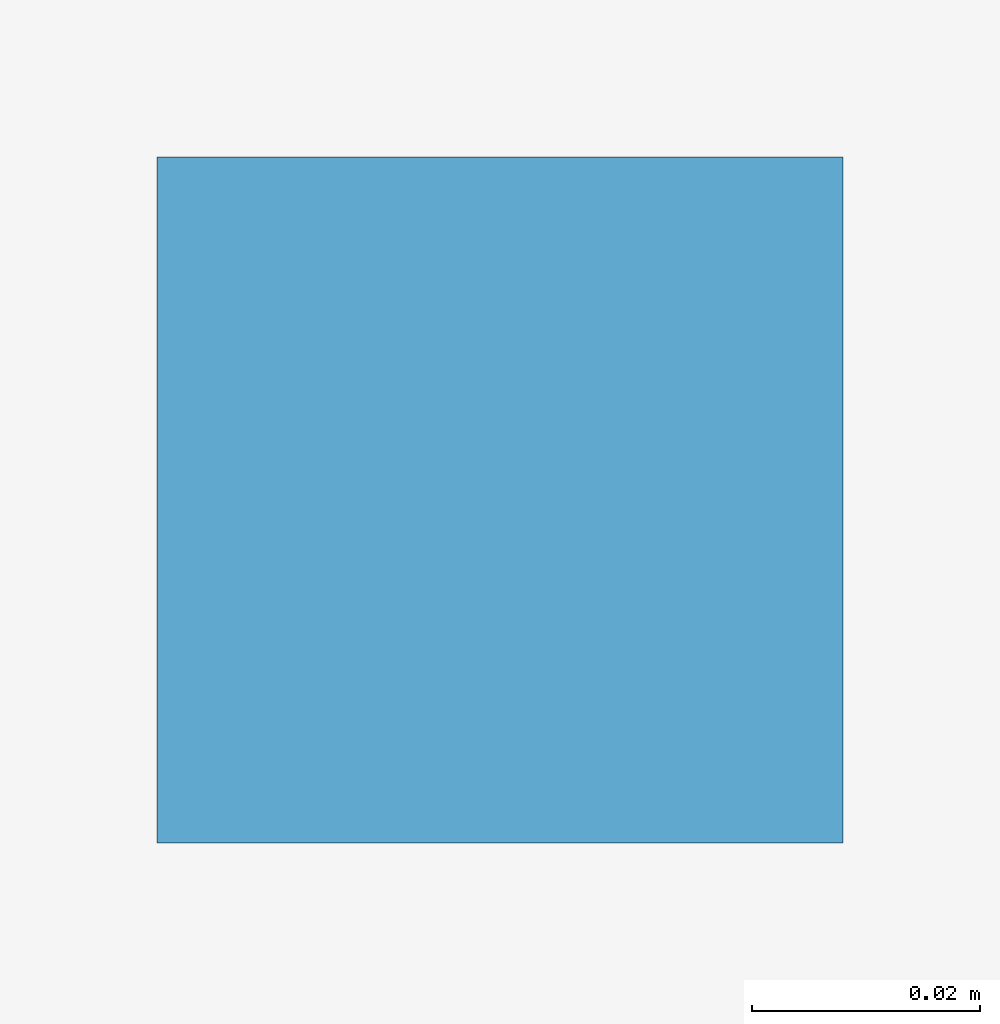
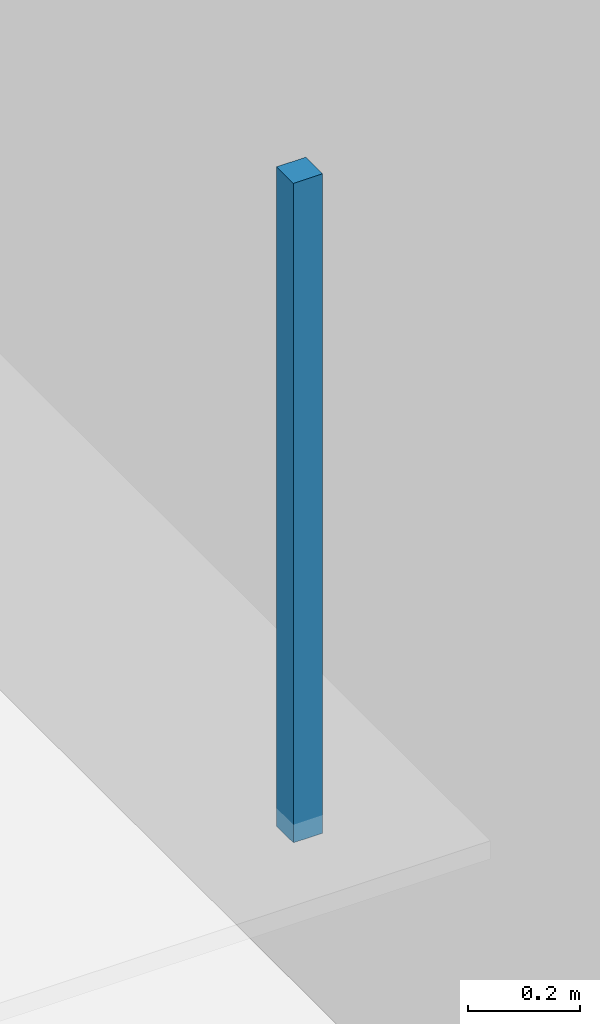
# One storey, part 98 of 122: 1 discrete accessory.
"""IFC4 building model written with IfcOpenShell, lengths in metres."""

from ifc_helpers import new_model, si_unit, direction, frame, origin, origin_2d, place, context, subcontext, project, spatial, rectangle, extrude, material, type_object, element, save


model = new_model("IFC4")

# Units and contexts
model_context = context("Model", 3, precision=1e-05, world=origin(), true_north=direction((0.0, 1.0)))
body_context = subcontext(model_context, "Body", "Model", "MODEL_VIEW")
ifc_project = project(units=[si_unit("LENGTHUNIT", "METRE"), si_unit("AREAUNIT", "SQUARE_METRE"), si_unit("VOLUMEUNIT", "CUBIC_METRE"), si_unit("PLANEANGLEUNIT", "RADIAN"), si_unit("MASSUNIT", "GRAM", prefix="KILO")], contexts=[model_context])

# Site, building, storey
site_placement = place(None, origin())
site = spatial("IfcSite", under=ifc_project, at=site_placement, CompositionType="ELEMENT")
building_placement = place(site_placement, origin())
building = spatial("IfcBuilding", under=site, at=building_placement, Name="Sundkrona Museum", CompositionType="ELEMENT")
storey_placement = place(building_placement, frame((0.0, 0.0, 5.39990234375)))
storey = spatial("IfcBuildingStorey", under=building, at=storey_placement, Name="L01", CompositionType="ELEMENT", Elevation=5.39990234375)

# Discrete accessory
ifc_material = material(Name="Stainless Steel EN 1.4404 Cleat", Category="steel")
discrete_accessory_type = type_object("IfcDiscreteAccessoryType", Name="BRK-FIN-01", PredefinedType="BRACKET", material=ifc_material)
discrete_accessory_placement = place(storey_placement, frame((75.75, 89.25, 2.550048828125), z_axis=(0.0, 0.0, 1.0), x_axis=(1.0, 0.0, 0.0)))
element("IfcDiscreteAccessory", 1, at=discrete_accessory_placement, inside=storey, type_object=discrete_accessory_type, Name="L01 Graphic Arts Cabinet Ceiling Hanger 2", PredefinedType="BRACKET", context=body_context, shape_type="SweptSolid", body=[
    extrude(rectangle(XDim=0.06005859375, YDim=0.06005859375, at=origin_2d()), origin(), (0.0, 0.0, 1.0), 1.43994140625),
])

save(model, "model.ifc")
